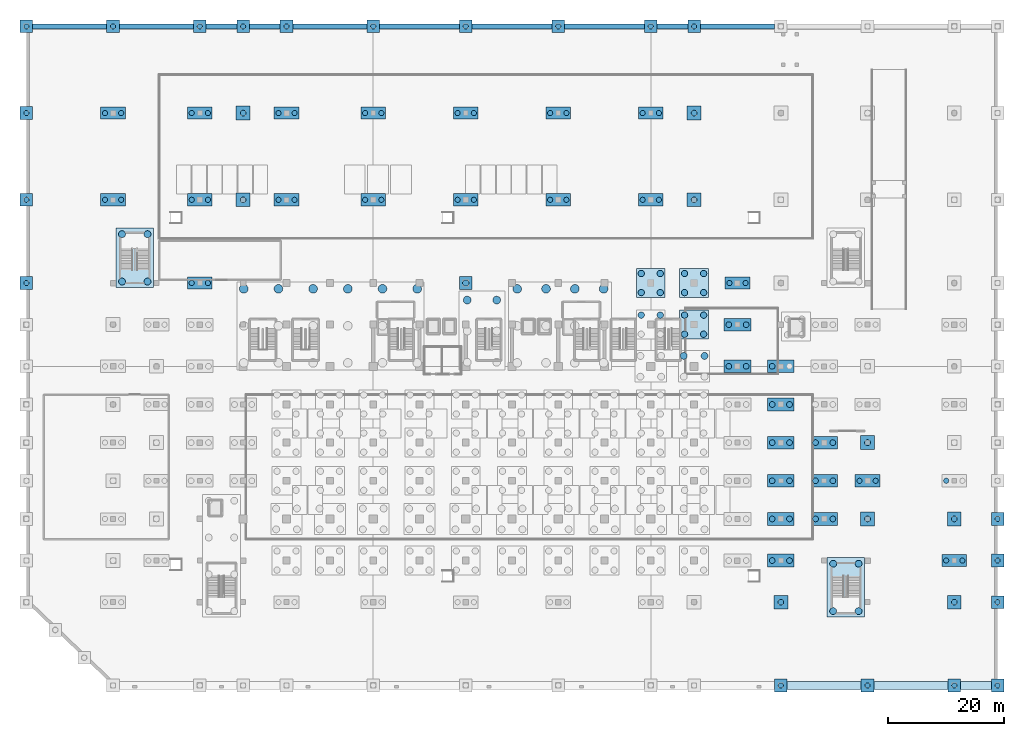
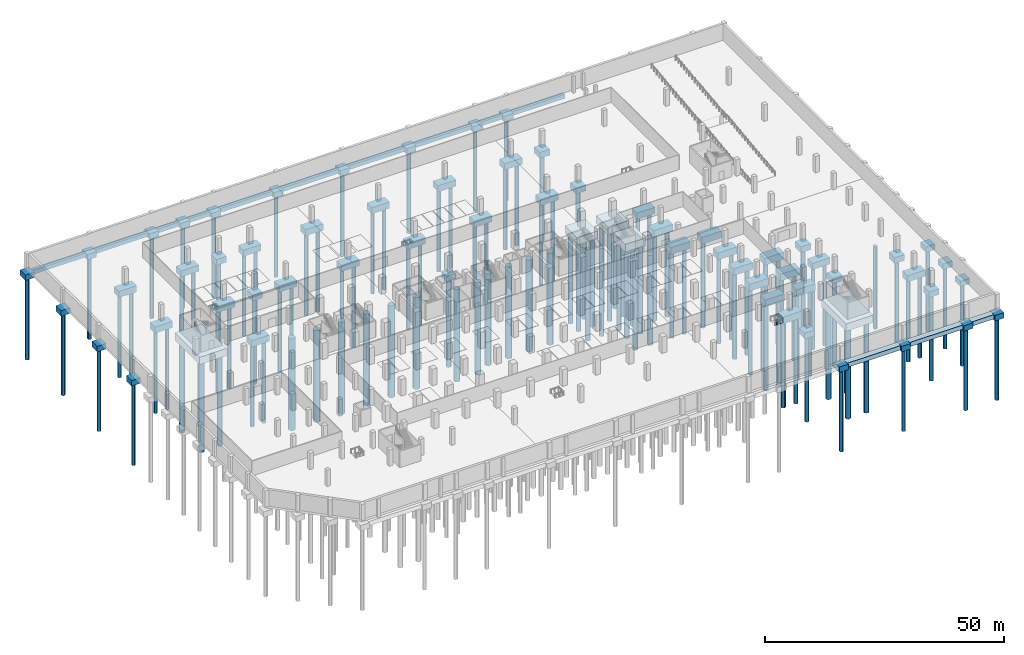
# One storey, part 3 of 26: 124 piles, 77 footings.
"""IFC4 building model written with IfcOpenShell, lengths in metres."""

from ifc_helpers import new_model, si_unit, direction, frame, origin, origin_2d, place, context, subcontext, project, spatial, rectangle, circle, extrude, material, material_profile, profile_set, type_object, element, save


model = new_model("IFC4")

# Units and contexts
model_context = context("Model", 3, precision=1e-05, world=origin(), true_north=direction((0.0, 1.0)))
body_context = subcontext(model_context, "Body", "Model", "MODEL_VIEW")
ifc_project = project(units=[si_unit("LENGTHUNIT", "METRE"), si_unit("AREAUNIT", "SQUARE_METRE"), si_unit("VOLUMEUNIT", "CUBIC_METRE"), si_unit("PLANEANGLEUNIT", "RADIAN"), si_unit("MASSUNIT", "GRAM", prefix="KILO")], contexts=[model_context])

# Site, building, storey
site_placement = place(None, origin())
site = spatial("IfcSite", under=ifc_project, at=site_placement, CompositionType="ELEMENT")
building_placement = place(site_placement, origin())
building = spatial("IfcBuilding", under=site, at=building_placement, Name="Akrevak Sports Hall", CompositionType="ELEMENT")
storey_placement = place(building_placement, frame((0.0, 0.0, -9.0)))
storey = spatial("IfcBuildingStorey", under=building, at=storey_placement, Name="B02", CompositionType="ELEMENT", Elevation=-9.0)

# Footings
ifc_material = material(Name="Concrete C40/50", Category="concrete")
footing_type_1 = type_object("IfcFootingType", Name="STR-PC-220x220x140", PredefinedType="PILE_CAP", material=ifc_material)
for number, where, z_axis, x_axis, name in (
    (1, (0.0, 69.60009765625, -1.949951171875), (0.0, 0.0, 1.0), (1.0, 0.0, 0.0), "Pile Cap PC-06 at 1/K"),
    (2, (0.0, 84.0, -1.949951171875), (0.0, 0.0, 1.0), (1.0, 0.0, 0.0), "Pile Cap PC-06 at 1/M"),
    (3, (0.0, 99.0, -1.949951171875), (0.0, 0.0, 1.0), (1.0, 0.0, 0.0), "Pile Cap PC-06 at 1/O"),
    (4, (0.0, 114.0, -1.949951171875), (0.0, 0.0, 1.0), (1.0, 0.0, 0.0), "Pile Cap PC-06 at 1/Q"),
    (5, (15.0, 114.0, -1.949951171875), (0.0, 0.0, 1.0), (1.0, 0.0, 0.0), "Pile Cap PC-06 at 3/Q"),
    (6, (30.0, 114.0, -1.949951171875), (0.0, 0.0, 1.0), (1.0, 0.0, 0.0), "Pile Cap PC-06 at 5/Q"),
    (7, (37.5, 114.0, -1.949951171875), (0.0, 0.0, 1.0), (1.0, 0.0, 0.0), "Pile Cap PC-06 at 6/Q"),
    (8, (45.0, 114.0, -1.949951171875), (0.0, 0.0, 1.0), (1.0, 0.0, 0.0), "Pile Cap PC-06 at 7/Q"),
    (9, (60.0, 114.0, -1.949951171875), (0.0, 0.0, 1.0), (1.0, 0.0, 0.0), "Pile Cap PC-06 at 9/Q"),
    (10, (76.0, 69.60009765625, -1.949951171875), (0.0, 0.0, 1.0), (1.0, 0.0, 0.0), "Pile Cap PC-06 at 11/K"),
    (11, (76.0, 114.0, -1.949951171875), (0.0, 0.0, 1.0), (1.0, 0.0, 0.0), "Pile Cap PC-06 at 11/Q"),
    (12, (92.0, 114.0, -1.949951171875), (0.0, 0.0, 1.0), (1.0, 0.0, 0.0), "Pile Cap PC-06 at 13/Q"),
    (13, (108.0, 114.0, -1.949951171875), (0.0, 0.0, 1.0), (1.0, 0.0, 0.0), "Pile Cap PC-06 at 15/Q"),
    (14, (115.5, 114.0, -1.949951171875), (0.0, 0.0, 1.0), (1.0, 0.0, 0.0), "Pile Cap PC-06 at 16/Q"),
    (15, (130.5, 0.0, -1.949951171875), (0.0, 0.0, 1.0), (1.0, 0.0, 0.0), "Pile Cap PC-06 at 18/A"),
    (16, (145.5, 0.0, -1.949951171875), (0.0, 0.0, 1.0), (1.0, 0.0, 0.0), "Pile Cap PC-06 at 20/A"),
    (17, (160.5, 0.0, -1.949951171875), (0.0, 0.0, 1.0), (1.0, 0.0, 0.0), "Pile Cap PC-06 at 22/A"),
    (18, (168.0, 0.0, -1.949951171875), (0.0, 0.0, 1.0), (1.0, 0.0, 0.0), "Pile Cap PC-06 at 23/A"),
    (19, (168.0, 14.39990234375, -1.949951171875), (0.0, 0.0, 1.0), (1.0, 0.0, 0.0), "Pile Cap PC-06 at 23/C"),
    (20, (168.0, 21.60009765625, -1.949951171875), (0.0, 0.0, 1.0), (1.0, 0.0, 0.0), "Pile Cap PC-06 at 23/D"),
    (21, (168.0, 28.800048828125, -1.949951171875), (0.0, 0.0, 1.0), (1.0, 0.0, 0.0), "Pile Cap PC-06 at 23/E"),
):
    element("IfcFooting", number, at=place(storey_placement, frame(where, z_axis=z_axis, x_axis=x_axis)), inside=storey, type_object=footing_type_1, Name=name, PredefinedType="PILE_CAP", context=body_context, shape_type="SweptSolid", body=[
        extrude(rectangle(XDim=2.199951171875, YDim=2.199951171875, at=origin_2d()), origin(), (0.0, 0.0, 1.0), 1.39990234375),
    ])
footing_type_2 = type_object("IfcFootingType", Name="STR-PC-240x240x150", PredefinedType="PILE_CAP", material=ifc_material)
for number, where, z_axis, x_axis, name in (
    (22, (37.5, 84.0, -2.050048828125), (0.0, 0.0, 1.0), (1.0, 0.0, 0.0), "Pile Cap PC-05 at 6/M"),
    (23, (37.5, 99.0, -2.050048828125), (0.0, 0.0, 1.0), (1.0, 0.0, 0.0), "Pile Cap PC-05 at 6/O"),
    (24, (115.5, 84.0, -2.050048828125), (0.0, 0.0, 1.0), (1.0, 0.0, 0.0), "Pile Cap PC-05 at 16/M"),
    (25, (115.5, 99.0, -2.050048828125), (0.0, 0.0, 1.0), (1.0, 0.0, 0.0), "Pile Cap PC-05 at 16/O"),
    (26, (130.5, 14.39990234375, -2.050048828125), (0.0, 0.0, 1.0), (1.0, 0.0, 0.0), "Pile Cap PC-05 at 18/C"),
    (27, (145.5, 28.800048828125, -2.050048828125), (0.0, 0.0, 1.0), (1.0, 0.0, 0.0), "Pile Cap PC-05 at 20/E"),
    (28, (145.5, 42.0, -2.050048828125), (0.0, 0.0, 1.0), (1.0, 0.0, 0.0), "Pile Cap PC-05 at 20/G"),
    (29, (160.5, 14.39990234375, -2.050048828125), (0.0, 0.0, 1.0), (1.0, 0.0, 0.0), "Pile Cap PC-05 at 22/C"),
    (30, (160.5, 28.800048828125, -2.050048828125), (0.0, 0.0, 1.0), (1.0, 0.0, 0.0), "Pile Cap PC-05 at 22/E"),
):
    element("IfcFooting", number, at=place(storey_placement, frame(where, z_axis=z_axis, x_axis=x_axis)), inside=storey, type_object=footing_type_2, Name=name, PredefinedType="PILE_CAP", context=body_context, shape_type="SweptSolid", body=[
        extrude(rectangle(XDim=2.39990234375, YDim=2.39990234375, at=origin_2d()), origin(), (0.0, 0.0, 1.0), 1.5),
    ])
footing_type_3 = type_object("IfcFootingType", Name="STR-PC-430x210x160", PredefinedType="PILE_CAP", material=ifc_material)
for number, where, z_axis, x_axis, name in (
    (31, (15.0, 84.0, -2.150146484375), (0.0, 0.0, 1.0), (1.0, 0.0, 0.0), "Pile Cap PC-04 at 3/M"),
    (32, (15.0, 99.0, -2.150146484375), (0.0, 0.0, 1.0), (1.0, 0.0, 0.0), "Pile Cap PC-04 at 3/O"),
    (33, (30.0, 69.60009765625, -2.150146484375), (0.0, 0.0, 1.0), (1.0, 0.0, 0.0), "Pile Cap PC-04 at 5/K"),
    (34, (30.0, 84.0, -2.150146484375), (0.0, 0.0, 1.0), (1.0, 0.0, 0.0), "Pile Cap PC-04 at 5/M"),
    (35, (30.0, 99.0, -2.150146484375), (0.0, 0.0, 1.0), (1.0, 0.0, 0.0), "Pile Cap PC-04 at 5/O"),
    (36, (45.0, 84.0, -2.150146484375), (0.0, 0.0, 1.0), (1.0, 0.0, 0.0), "Pile Cap PC-04 at 7/M"),
    (37, (45.0, 99.0, -2.150146484375), (0.0, 0.0, 1.0), (1.0, 0.0, 0.0), "Pile Cap PC-04 at 7/O"),
    (38, (60.0, 84.0, -2.150146484375), (0.0, 0.0, 1.0), (1.0, 0.0, 0.0), "Pile Cap PC-04 at 9/M"),
    (39, (60.0, 99.0, -2.150146484375), (0.0, 0.0, 1.0), (1.0, 0.0, 0.0), "Pile Cap PC-04 at 9/O"),
    (40, (76.0, 84.0, -2.150146484375), (0.0, 0.0, 1.0), (1.0, 0.0, 0.0), "Pile Cap PC-04 at 11/M"),
    (41, (76.0, 99.0, -2.150146484375), (0.0, 0.0, 1.0), (1.0, 0.0, 0.0), "Pile Cap PC-04 at 11/O"),
    (42, (92.0, 84.0, -2.150146484375), (0.0, 0.0, 1.0), (1.0, 0.0, 0.0), "Pile Cap PC-04 at 13/M"),
    (43, (92.0, 99.0, -2.150146484375), (0.0, 0.0, 1.0), (1.0, 0.0, 0.0), "Pile Cap PC-04 at 13/O"),
    (44, (108.0, 84.0, -2.150146484375), (0.0, 0.0, 1.0), (1.0, 0.0, 0.0), "Pile Cap PC-04 at 15/M"),
    (45, (108.0, 99.0, -2.150146484375), (0.0, 0.0, 1.0), (1.0, 0.0, 0.0), "Pile Cap PC-04 at 15/O"),
    (46, (123.0, 69.60009765625, -2.150146484375), (0.0, 0.0, 1.0), (1.0, 0.0, 0.0), "Pile Cap PC-04 at 17/K"),
    (47, (145.5, 35.39990234375, -2.150146484375), (0.0, 0.0, 1.0), (1.0, 0.0, 0.0), "Pile Cap PC-04 at 20/F"),
    (48, (160.5, 21.60009765625, -2.150146484375), (0.0, 0.0, 1.0), (1.0, 0.0, 0.0), "Pile Cap PC-04 at 22/D"),
):
    element("IfcFooting", number, at=place(storey_placement, frame(where, z_axis=z_axis, x_axis=x_axis)), inside=storey, type_object=footing_type_3, Name=name, PredefinedType="PILE_CAP", context=body_context, shape_type="SweptSolid", body=[
        extrude(rectangle(XDim=4.300048828125, YDim=2.10009765625, at=origin_2d()), origin(), (0.0, 0.0, 1.0), 1.60009765625),
    ])
footing_type_4 = type_object("IfcFootingType", Name="STR-PC-460x220x175", PredefinedType="PILE_CAP", material=ifc_material)
for number, where, z_axis, x_axis, name in (
    (49, (123.0, 55.199951171875, -2.300048828125), (0.0, 0.0, 1.0), (1.0, 0.0, 0.0), "Pile Cap PC-03 at 17/I"),
    (50, (123.0, 62.39990234375, -2.300048828125), (0.0, 0.0, 1.0), (1.0, 0.0, 0.0), "Pile Cap PC-03 at 17/J"),
    (51, (130.5, 21.60009765625, -2.300048828125), (0.0, 0.0, 1.0), (1.0, 0.0, 0.0), "Pile Cap PC-03 at 18/D"),
    (52, (130.5, 28.800048828125, -2.300048828125), (0.0, 0.0, 1.0), (1.0, 0.0, 0.0), "Pile Cap PC-03 at 18/E"),
    (53, (130.5, 35.39990234375, -2.300048828125), (0.0, 0.0, 1.0), (1.0, 0.0, 0.0), "Pile Cap PC-03 at 18/F"),
    (54, (130.5, 42.0, -2.300048828125), (0.0, 0.0, 1.0), (1.0, 0.0, 0.0), "Pile Cap PC-03 at 18/G"),
    (55, (130.5, 48.60009765625, -2.300048828125), (0.0, 0.0, 1.0), (1.0, 0.0, 0.0), "Pile Cap PC-03 at 18/H"),
    (56, (130.5, 55.199951171875, -2.300048828125), (0.0, 0.0, 1.0), (1.0, 0.0, 0.0), "Pile Cap PC-03 at 18/I"),
    (57, (138.0, 28.800048828125, -2.300048828125), (0.0, 0.0, 1.0), (1.0, 0.0, 0.0), "Pile Cap PC-03 at 19/E"),
    (58, (138.0, 35.39990234375, -2.300048828125), (0.0, 0.0, 1.0), (1.0, 0.0, 0.0), "Pile Cap PC-03 at 19/F"),
    (59, (138.0, 42.0, -2.300048828125), (0.0, 0.0, 1.0), (1.0, 0.0, 0.0), "Pile Cap PC-03 at 19/G"),
):
    element("IfcFooting", number, at=place(storey_placement, frame(where, z_axis=z_axis, x_axis=x_axis)), inside=storey, type_object=footing_type_4, Name=name, PredefinedType="PILE_CAP", context=body_context, shape_type="SweptSolid", body=[
        extrude(rectangle(XDim=4.60009765625, YDim=2.199951171875, at=origin_2d()), origin(), (0.0, 0.0, 1.0), 1.75),
    ])
footing_type_5 = type_object("IfcFootingType", Name="STR-PC-500x500x195", PredefinedType="PILE_CAP", material=ifc_material)
for number, where, z_axis, x_axis, name in (
    (60, (108.0, 69.60009765625, -2.5), (0.0, 0.0, 1.0), (1.0, 0.0, 0.0), "Pile Cap PC-02 at 15/K"),
    (61, (115.5, 62.39990234375, -2.5), (0.0, 0.0, 1.0), (1.0, 0.0, 0.0), "Pile Cap PC-02 at 16/J"),
    (62, (115.5, 69.60009765625, -2.5), (0.0, 0.0, 1.0), (1.0, 0.0, 0.0), "Pile Cap PC-02 at 16/K"),
):
    element("IfcFooting", number, at=place(storey_placement, frame(where, z_axis=z_axis, x_axis=x_axis)), inside=storey, type_object=footing_type_5, Name=name, PredefinedType="PILE_CAP", context=body_context, shape_type="SweptSolid", body=[
        extrude(rectangle(XDim=5.0, YDim=5.0, at=origin_2d()), origin(), (0.0, 0.0, 1.0), 1.949951171875),
    ])
footing_type_6 = type_object("IfcFootingType", Name="STR-PC-MAT-P2", PredefinedType="PILE_CAP", material=ifc_material)
footing_1_placement = place(storey_placement, frame((18.75, 73.949951171875, -2.449951171875), z_axis=(0.0, 0.0, 1.0), x_axis=(1.0, 0.0, 0.0)))
element("IfcFooting", 63, at=footing_1_placement, inside=storey, type_object=footing_type_6, Name="Combined Pile Cap PC-M6", PredefinedType="PILE_CAP", context=body_context, shape_type="SweptSolid", body=[
    extrude(rectangle(XDim=6.5, YDim=10.300048828125, at=origin_2d()), origin(), (0.0, 0.0, 1.0), 1.89990234375),
])
footing_type_7 = type_object("IfcFootingType", Name="STR-PC-MAT-P3", PredefinedType="PILE_CAP", material=ifc_material)
footing_2_placement = place(storey_placement, frame((141.75, 16.949951171875, -2.449951171875), z_axis=(0.0, 0.0, 1.0), x_axis=(1.0, 0.0, 0.0)))
element("IfcFooting", 64, at=footing_2_placement, inside=storey, type_object=footing_type_7, Name="Combined Pile Cap PC-M7", PredefinedType="PILE_CAP", context=body_context, shape_type="SweptSolid", body=[
    extrude(rectangle(XDim=6.5, YDim=10.300048828125, at=origin_2d()), origin(), (0.0, 0.0, 1.0), 1.89990234375),
])

# Piles
ifc_material_profile_1 = material_profile(ifc_material, circle(Radius=0.5, at=origin_2d()), Name="BORED PILE D1000", Category="concrete")
ifc_profile_set_1 = profile_set([ifc_material_profile_1], Name="Concrete C40/50")
pile_type_1 = type_object("IfcPileType", Name="STR-PILE-D1000", PredefinedType="BORED", material=ifc_profile_set_1)
for number, where, z_axis, x_axis, name in (
    (65, (37.5, 84.0, -2.050048828125), (0.0, 0.0, -1.0), (1.0, 0.0, 0.0), "Bored Pile 6/M-1"),
    (66, (37.5, 99.0, -2.050048828125), (0.0, 0.0, -1.0), (1.0, 0.0, 0.0), "Bored Pile 6/O-1"),
    (67, (115.5, 84.0, -2.050048828125), (0.0, 0.0, -1.0), (1.0, 0.0, 0.0), "Bored Pile 16/M-1"),
    (68, (115.5, 99.0, -2.050048828125), (0.0, 0.0, -1.0), (1.0, 0.0, 0.0), "Bored Pile 16/O-1"),
    (69, (121.5, 55.199951171875, -2.300048828125), (0.0, 0.0, -1.0), (1.0, 0.0, 0.0), "Bored Pile 17/I-1"),
    (70, (124.5, 55.199951171875, -2.300048828125), (0.0, 0.0, -1.0), (1.0, 0.0, 0.0), "Bored Pile 17/I-2"),
    (71, (121.5, 62.39990234375, -2.300048828125), (0.0, 0.0, -1.0), (1.0, 0.0, 0.0), "Bored Pile 17/J-1"),
    (72, (124.5, 62.39990234375, -2.300048828125), (0.0, 0.0, -1.0), (1.0, 0.0, 0.0), "Bored Pile 17/J-2"),
    (73, (130.5, 14.39990234375, -2.050048828125), (0.0, 0.0, -1.0), (1.0, 0.0, 0.0), "Bored Pile 18/C-1"),
    (74, (129.0, 21.60009765625, -2.300048828125), (0.0, 0.0, -1.0), (1.0, 0.0, 0.0), "Bored Pile 18/D-1"),
    (75, (132.0, 21.60009765625, -2.300048828125), (0.0, 0.0, -1.0), (1.0, 0.0, 0.0), "Bored Pile 18/D-2"),
    (76, (129.0, 28.800048828125, -2.300048828125), (0.0, 0.0, -1.0), (1.0, 0.0, 0.0), "Bored Pile 18/E-1"),
    (77, (132.0, 28.800048828125, -2.300048828125), (0.0, 0.0, -1.0), (1.0, 0.0, 0.0), "Bored Pile 18/E-2"),
    (78, (129.0, 35.39990234375, -2.300048828125), (0.0, 0.0, -1.0), (1.0, 0.0, 0.0), "Bored Pile 18/F-1"),
    (79, (132.0, 35.39990234375, -2.300048828125), (0.0, 0.0, -1.0), (1.0, 0.0, 0.0), "Bored Pile 18/F-2"),
    (80, (129.0, 42.0, -2.300048828125), (0.0, 0.0, -1.0), (1.0, 0.0, 0.0), "Bored Pile 18/G-1"),
    (81, (132.0, 42.0, -2.300048828125), (0.0, 0.0, -1.0), (1.0, 0.0, 0.0), "Bored Pile 18/G-2"),
    (82, (129.0, 48.60009765625, -2.300048828125), (0.0, 0.0, -1.0), (1.0, 0.0, 0.0), "Bored Pile 18/H-1"),
    (83, (132.0, 48.60009765625, -2.300048828125), (0.0, 0.0, -1.0), (1.0, 0.0, 0.0), "Bored Pile 18/H-2"),
    (84, (129.0, 55.199951171875, -2.300048828125), (0.0, 0.0, -1.0), (1.0, 0.0, 0.0), "Bored Pile 18/I-1"),
    (85, (136.5, 28.800048828125, -2.300048828125), (0.0, 0.0, -1.0), (1.0, 0.0, 0.0), "Bored Pile 19/E-1"),
    (86, (139.5, 28.800048828125, -2.300048828125), (0.0, 0.0, -1.0), (1.0, 0.0, 0.0), "Bored Pile 19/E-2"),
    (87, (136.5, 35.39990234375, -2.300048828125), (0.0, 0.0, -1.0), (1.0, 0.0, 0.0), "Bored Pile 19/F-1"),
    (88, (139.5, 35.39990234375, -2.300048828125), (0.0, 0.0, -1.0), (1.0, 0.0, 0.0), "Bored Pile 19/F-2"),
    (89, (136.5, 42.0, -2.300048828125), (0.0, 0.0, -1.0), (1.0, 0.0, 0.0), "Bored Pile 19/G-1"),
    (90, (139.5, 42.0, -2.300048828125), (0.0, 0.0, -1.0), (1.0, 0.0, 0.0), "Bored Pile 19/G-2"),
    (91, (145.5, 28.800048828125, -2.050048828125), (0.0, 0.0, -1.0), (1.0, 0.0, 0.0), "Bored Pile 20/E-1"),
    (92, (145.5, 42.0, -2.050048828125), (0.0, 0.0, -1.0), (1.0, 0.0, 0.0), "Bored Pile 20/G-1"),
    (93, (160.5, 14.39990234375, -2.050048828125), (0.0, 0.0, -1.0), (1.0, 0.0, 0.0), "Bored Pile 22/C-1"),
    (94, (160.5, 28.800048828125, -2.050048828125), (0.0, 0.0, -1.0), (1.0, 0.0, 0.0), "Bored Pile 22/E-1"),
):
    element("IfcPile", number, at=place(storey_placement, frame(where, z_axis=z_axis, x_axis=x_axis)), inside=storey, type_object=pile_type_1, Name=name, PredefinedType="BORED", context=body_context, shape_type="SweptSolid", body=[
        extrude(circle(Radius=0.5, at=origin_2d()), origin(), (0.0, 0.0, 1.0), 22.0),
    ])
ifc_material_profile_2 = material_profile(ifc_material, circle(Radius=0.550048828125, at=origin_2d()), Name="BORED PILE D1100", Category="concrete")
ifc_profile_set_2 = profile_set([ifc_material_profile_2], Name="Concrete C40/50")
pile_type_2 = type_object("IfcPileType", Name="STR-PILE-D1100", PredefinedType="BORED", material=ifc_profile_set_2)
for number, where, z_axis, x_axis, name in (
    (95, (76.0, 69.60009765625, -1.949951171875), (0.0, 0.0, -1.0), (1.0, 0.0, 0.0), "Bored Pile 11/K-1"),
    (96, (106.35009765625, 64.050048828125, -2.5), (0.0, 0.0, -1.0), (1.0, 0.0, 0.0), "Bored Pile 15/J-3"),
    (97, (109.64990234375, 64.050048828125, -2.5), (0.0, 0.0, -1.0), (1.0, 0.0, 0.0), "Bored Pile 15/J-4"),
    (98, (106.35009765625, 67.949951171875, -2.5), (0.0, 0.0, -1.0), (1.0, 0.0, 0.0), "Bored Pile 15/K-1"),
    (99, (109.64990234375, 67.949951171875, -2.5), (0.0, 0.0, -1.0), (1.0, 0.0, 0.0), "Bored Pile 15/K-2"),
    (100, (106.35009765625, 71.25, -2.5), (0.0, 0.0, -1.0), (1.0, 0.0, 0.0), "Bored Pile 15/K-3"),
    (101, (109.64990234375, 71.25, -2.5), (0.0, 0.0, -1.0), (1.0, 0.0, 0.0), "Bored Pile 15/K-4"),
    (102, (113.85009765625, 60.75, -2.5), (0.0, 0.0, -1.0), (1.0, 0.0, 0.0), "Bored Pile 16/J-1"),
    (103, (117.14990234375, 60.75, -2.5), (0.0, 0.0, -1.0), (1.0, 0.0, 0.0), "Bored Pile 16/J-2"),
    (104, (113.85009765625, 64.050048828125, -2.5), (0.0, 0.0, -1.0), (1.0, 0.0, 0.0), "Bored Pile 16/J-3"),
    (105, (117.14990234375, 64.050048828125, -2.5), (0.0, 0.0, -1.0), (1.0, 0.0, 0.0), "Bored Pile 16/J-4"),
    (106, (113.85009765625, 67.949951171875, -2.5), (0.0, 0.0, -1.0), (1.0, 0.0, 0.0), "Bored Pile 16/K-1"),
    (107, (117.14990234375, 67.949951171875, -2.5), (0.0, 0.0, -1.0), (1.0, 0.0, 0.0), "Bored Pile 16/K-2"),
    (108, (113.85009765625, 71.25, -2.5), (0.0, 0.0, -1.0), (1.0, 0.0, 0.0), "Bored Pile 16/K-3"),
    (109, (117.14990234375, 71.25, -2.5), (0.0, 0.0, -1.0), (1.0, 0.0, 0.0), "Bored Pile 16/K-4"),
):
    element("IfcPile", number, at=place(storey_placement, frame(where, z_axis=z_axis, x_axis=x_axis)), inside=storey, type_object=pile_type_2, Name=name, PredefinedType="BORED", context=body_context, shape_type="SweptSolid", body=[
        extrude(circle(Radius=0.550048828125, at=origin_2d()), origin(), (0.0, 0.0, 1.0), 22.5),
    ])
ifc_material_profile_3 = material_profile(ifc_material, circle(Radius=0.60009765625, at=origin_2d()), Name="BORED PILE D1200", Category="concrete")
ifc_profile_set_3 = profile_set([ifc_material_profile_3], Name="Concrete C40/50")
pile_type_3 = type_object("IfcPileType", Name="STR-PILE-D1200", PredefinedType="BORED", material=ifc_profile_set_3)
for number, where, z_axis, x_axis, name in (
    (110, (16.550048828125, 69.85009765625, -2.449951171875), (0.0, 0.0, -1.0), (1.0, 0.0, 0.0), "Bored Pile PC-M6-11"),
    (111, (16.550048828125, 78.050048828125, -2.449951171875), (0.0, 0.0, -1.0), (1.0, 0.0, 0.0), "Bored Pile PC-M6-12"),
    (112, (20.949951171875, 69.85009765625, -2.449951171875), (0.0, 0.0, -1.0), (1.0, 0.0, 0.0), "Bored Pile PC-M6-21"),
    (113, (20.949951171875, 78.050048828125, -2.449951171875), (0.0, 0.0, -1.0), (1.0, 0.0, 0.0), "Bored Pile PC-M6-22"),
    (114, (139.550048828125, 12.85009765625, -2.449951171875), (0.0, 0.0, -1.0), (1.0, 0.0, 0.0), "Bored Pile PC-M7-11"),
    (115, (139.550048828125, 21.050048828125, -2.449951171875), (0.0, 0.0, -1.0), (1.0, 0.0, 0.0), "Bored Pile PC-M7-12"),
    (116, (143.949951171875, 12.85009765625, -2.449951171875), (0.0, 0.0, -1.0), (1.0, 0.0, 0.0), "Bored Pile PC-M7-21"),
    (117, (143.949951171875, 21.050048828125, -2.449951171875), (0.0, 0.0, -1.0), (1.0, 0.0, 0.0), "Bored Pile PC-M7-22"),
    (118, (113.699951171875, 57.0, -2.64990234375), (0.0, 0.0, -1.0), (1.0, 0.0, 0.0), "Bored Pile 16/I-3"),
    (119, (117.300048828125, 57.0, -2.64990234375), (0.0, 0.0, -1.0), (1.0, 0.0, 0.0), "Bored Pile 16/I-4"),
):
    element("IfcPile", number, at=place(storey_placement, frame(where, z_axis=z_axis, x_axis=x_axis)), inside=storey, type_object=pile_type_3, Name=name, PredefinedType="BORED", context=body_context, shape_type="SweptSolid", body=[
        extrude(circle(Radius=0.60009765625, at=origin_2d()), origin(), (0.0, 0.0, 1.0), 23.0),
    ])
ifc_material_profile_4 = material_profile(ifc_material, circle(Radius=0.675048828125, at=origin_2d()), Name="BORED PILE D1350", Category="concrete")
ifc_profile_set_4 = profile_set([ifc_material_profile_4], Name="Concrete C40/50")
pile_type_4 = type_object("IfcPileType", Name="STR-PILE-D1350", PredefinedType="BORED", material=ifc_profile_set_4)
for number, where, z_axis, x_axis, name in (
    (120, (76.25, 66.64990234375, -2.800048828125), (0.0, 0.0, -1.0), (1.0, 0.0, 0.0), "Bored Pile PC-M3-13"),
    (121, (81.35009765625, 66.64990234375, -2.800048828125), (0.0, 0.0, -1.0), (1.0, 0.0, 0.0), "Bored Pile PC-M3-23"),
):
    element("IfcPile", number, at=place(storey_placement, frame(where, z_axis=z_axis, x_axis=x_axis)), inside=storey, type_object=pile_type_4, Name=name, PredefinedType="BORED", context=body_context, shape_type="SweptSolid", body=[
        extrude(circle(Radius=0.675048828125, at=origin_2d()), origin(), (0.0, 0.0, 1.0), 23.60009765625),
    ])
ifc_material_profile_5 = material_profile(ifc_material, circle(Radius=0.75, at=origin_2d()), Name="BORED PILE D1500", Category="concrete")
ifc_profile_set_5 = profile_set([ifc_material_profile_5], Name="Concrete C40/50")
pile_type_5 = type_object("IfcPileType", Name="STR-PILE-D1500", PredefinedType="BORED", material=ifc_profile_set_5)
for number, where, z_axis, x_axis, name in (
    (122, (37.60009765625, 68.60009765625, -2.949951171875), (0.0, 0.0, -1.0), (1.0, 0.0, 0.0), "Bored Pile PC-M1-13"),
    (123, (43.60009765625, 68.60009765625, -2.949951171875), (0.0, 0.0, -1.0), (1.0, 0.0, 0.0), "Bored Pile PC-M1-23"),
    (124, (49.60009765625, 68.60009765625, -2.949951171875), (0.0, 0.0, -1.0), (1.0, 0.0, 0.0), "Bored Pile PC-M1-33"),
    (125, (55.60009765625, 68.60009765625, -2.949951171875), (0.0, 0.0, -1.0), (1.0, 0.0, 0.0), "Bored Pile PC-M1-43"),
    (126, (61.60009765625, 68.60009765625, -2.949951171875), (0.0, 0.0, -1.0), (1.0, 0.0, 0.0), "Bored Pile PC-M1-53"),
    (127, (67.60009765625, 68.60009765625, -2.949951171875), (0.0, 0.0, -1.0), (1.0, 0.0, 0.0), "Bored Pile PC-M1-63"),
    (128, (84.89990234375, 68.60009765625, -2.949951171875), (0.0, 0.0, -1.0), (1.0, 0.0, 0.0), "Bored Pile PC-M2-13"),
    (129, (89.883056640625, 68.60009765625, -2.949951171875), (0.0, 0.0, -1.0), (1.0, 0.0, 0.0), "Bored Pile PC-M2-23"),
    (130, (94.866943359375, 68.60009765625, -2.949951171875), (0.0, 0.0, -1.0), (1.0, 0.0, 0.0), "Bored Pile PC-M2-33"),
    (131, (99.85009765625, 68.60009765625, -2.949951171875), (0.0, 0.0, -1.0), (1.0, 0.0, 0.0), "Bored Pile PC-M2-43"),
):
    element("IfcPile", number, at=place(storey_placement, frame(where, z_axis=z_axis, x_axis=x_axis)), inside=storey, type_object=pile_type_5, Name=name, PredefinedType="BORED", context=body_context, shape_type="SweptSolid", body=[
        extrude(circle(Radius=0.75, at=origin_2d()), origin(), (0.0, 0.0, 1.0), 23.449951171875),
    ])
ifc_material_profile_6 = material_profile(ifc_material, circle(Radius=0.449951171875, at=origin_2d()), Name="BORED PILE D900", Category="concrete")
ifc_profile_set_6 = profile_set([ifc_material_profile_6], Name="Concrete C40/50")
pile_type_6 = type_object("IfcPileType", Name="STR-PILE-D900", PredefinedType="BORED", material=ifc_profile_set_6)
for number, where, z_axis, x_axis, name in (
    (132, (0.0, 69.60009765625, -1.949951171875), (0.0, 0.0, -1.0), (1.0, 0.0, 0.0), "Bored Pile 1/K-1"),
    (133, (0.0, 84.0, -1.949951171875), (0.0, 0.0, -1.0), (1.0, 0.0, 0.0), "Bored Pile 1/M-1"),
    (134, (0.0, 99.0, -1.949951171875), (0.0, 0.0, -1.0), (1.0, 0.0, 0.0), "Bored Pile 1/O-1"),
    (135, (0.0, 114.0, -1.949951171875), (0.0, 0.0, -1.0), (1.0, 0.0, 0.0), "Bored Pile 1/Q-1"),
    (136, (13.60009765625, 84.0, -2.14990234375), (0.0, 0.0, -1.0), (1.0, 0.0, 0.0), "Bored Pile 3/M-1"),
    (137, (16.39990234375, 84.0, -2.14990234375), (0.0, 0.0, -1.0), (1.0, 0.0, 0.0), "Bored Pile 3/M-2"),
    (138, (13.60009765625, 99.0, -2.14990234375), (0.0, 0.0, -1.0), (1.0, 0.0, 0.0), "Bored Pile 3/O-1"),
    (139, (16.39990234375, 99.0, -2.14990234375), (0.0, 0.0, -1.0), (1.0, 0.0, 0.0), "Bored Pile 3/O-2"),
    (140, (15.0, 114.0, -1.949951171875), (0.0, 0.0, -1.0), (1.0, 0.0, 0.0), "Bored Pile 3/Q-1"),
    (141, (28.60009765625, 69.60009765625, -2.14990234375), (0.0, 0.0, -1.0), (1.0, 0.0, 0.0), "Bored Pile 5/K-1"),
    (142, (31.39990234375, 69.60009765625, -2.14990234375), (0.0, 0.0, -1.0), (1.0, 0.0, 0.0), "Bored Pile 5/K-2"),
    (143, (28.60009765625, 84.0, -2.14990234375), (0.0, 0.0, -1.0), (1.0, 0.0, 0.0), "Bored Pile 5/M-1"),
    (144, (31.39990234375, 84.0, -2.14990234375), (0.0, 0.0, -1.0), (1.0, 0.0, 0.0), "Bored Pile 5/M-2"),
    (145, (28.60009765625, 99.0, -2.14990234375), (0.0, 0.0, -1.0), (1.0, 0.0, 0.0), "Bored Pile 5/O-1"),
    (146, (31.39990234375, 99.0, -2.14990234375), (0.0, 0.0, -1.0), (1.0, 0.0, 0.0), "Bored Pile 5/O-2"),
    (147, (30.0, 114.0, -1.949951171875), (0.0, 0.0, -1.0), (1.0, 0.0, 0.0), "Bored Pile 5/Q-1"),
    (148, (37.5, 114.0, -1.949951171875), (0.0, 0.0, -1.0), (1.0, 0.0, 0.0), "Bored Pile 6/Q-1"),
    (149, (43.60009765625, 84.0, -2.14990234375), (0.0, 0.0, -1.0), (1.0, 0.0, 0.0), "Bored Pile 7/M-1"),
    (150, (46.39990234375, 84.0, -2.14990234375), (0.0, 0.0, -1.0), (1.0, 0.0, 0.0), "Bored Pile 7/M-2"),
    (151, (43.60009765625, 99.0, -2.14990234375), (0.0, 0.0, -1.0), (1.0, 0.0, 0.0), "Bored Pile 7/O-1"),
    (152, (46.39990234375, 99.0, -2.14990234375), (0.0, 0.0, -1.0), (1.0, 0.0, 0.0), "Bored Pile 7/O-2"),
    (153, (45.0, 114.0, -1.949951171875), (0.0, 0.0, -1.0), (1.0, 0.0, 0.0), "Bored Pile 7/Q-1"),
    (154, (58.60009765625, 84.0, -2.14990234375), (0.0, 0.0, -1.0), (1.0, 0.0, 0.0), "Bored Pile 9/M-1"),
    (155, (61.39990234375, 84.0, -2.14990234375), (0.0, 0.0, -1.0), (1.0, 0.0, 0.0), "Bored Pile 9/M-2"),
    (156, (58.60009765625, 99.0, -2.14990234375), (0.0, 0.0, -1.0), (1.0, 0.0, 0.0), "Bored Pile 9/O-1"),
    (157, (61.39990234375, 99.0, -2.14990234375), (0.0, 0.0, -1.0), (1.0, 0.0, 0.0), "Bored Pile 9/O-2"),
    (158, (60.0, 114.0, -1.949951171875), (0.0, 0.0, -1.0), (1.0, 0.0, 0.0), "Bored Pile 9/Q-1"),
    (159, (74.60009765625, 84.0, -2.14990234375), (0.0, 0.0, -1.0), (1.0, 0.0, 0.0), "Bored Pile 11/M-1"),
    (160, (77.39990234375, 84.0, -2.14990234375), (0.0, 0.0, -1.0), (1.0, 0.0, 0.0), "Bored Pile 11/M-2"),
    (161, (74.60009765625, 99.0, -2.14990234375), (0.0, 0.0, -1.0), (1.0, 0.0, 0.0), "Bored Pile 11/O-1"),
    (162, (77.39990234375, 99.0, -2.14990234375), (0.0, 0.0, -1.0), (1.0, 0.0, 0.0), "Bored Pile 11/O-2"),
    (163, (76.0, 114.0, -1.949951171875), (0.0, 0.0, -1.0), (1.0, 0.0, 0.0), "Bored Pile 11/Q-1"),
    (164, (90.60009765625, 84.0, -2.14990234375), (0.0, 0.0, -1.0), (1.0, 0.0, 0.0), "Bored Pile 13/M-1"),
    (165, (93.39990234375, 84.0, -2.14990234375), (0.0, 0.0, -1.0), (1.0, 0.0, 0.0), "Bored Pile 13/M-2"),
    (166, (90.60009765625, 99.0, -2.14990234375), (0.0, 0.0, -1.0), (1.0, 0.0, 0.0), "Bored Pile 13/O-1"),
    (167, (93.39990234375, 99.0, -2.14990234375), (0.0, 0.0, -1.0), (1.0, 0.0, 0.0), "Bored Pile 13/O-2"),
    (168, (92.0, 114.0, -1.949951171875), (0.0, 0.0, -1.0), (1.0, 0.0, 0.0), "Bored Pile 13/Q-1"),
    (169, (106.60009765625, 84.0, -2.14990234375), (0.0, 0.0, -1.0), (1.0, 0.0, 0.0), "Bored Pile 15/M-1"),
    (170, (109.39990234375, 84.0, -2.14990234375), (0.0, 0.0, -1.0), (1.0, 0.0, 0.0), "Bored Pile 15/M-2"),
    (171, (106.60009765625, 99.0, -2.14990234375), (0.0, 0.0, -1.0), (1.0, 0.0, 0.0), "Bored Pile 15/O-1"),
    (172, (109.39990234375, 99.0, -2.14990234375), (0.0, 0.0, -1.0), (1.0, 0.0, 0.0), "Bored Pile 15/O-2"),
    (173, (108.0, 114.0, -1.949951171875), (0.0, 0.0, -1.0), (1.0, 0.0, 0.0), "Bored Pile 15/Q-1"),
    (174, (115.5, 114.0, -1.949951171875), (0.0, 0.0, -1.0), (1.0, 0.0, 0.0), "Bored Pile 16/Q-1"),
    (175, (121.60009765625, 69.60009765625, -2.14990234375), (0.0, 0.0, -1.0), (1.0, 0.0, 0.0), "Bored Pile 17/K-1"),
    (176, (124.39990234375, 69.60009765625, -2.14990234375), (0.0, 0.0, -1.0), (1.0, 0.0, 0.0), "Bored Pile 17/K-2"),
    (177, (130.5, 0.0, -1.949951171875), (0.0, 0.0, -1.0), (1.0, 0.0, 0.0), "Bored Pile 18/A-1"),
    (178, (145.5, 0.0, -1.949951171875), (0.0, 0.0, -1.0), (1.0, 0.0, 0.0), "Bored Pile 20/A-1"),
    (179, (144.10009765625, 35.39990234375, -2.14990234375), (0.0, 0.0, -1.0), (1.0, 0.0, 0.0), "Bored Pile 20/F-1"),
    (180, (146.89990234375, 35.39990234375, -2.14990234375), (0.0, 0.0, -1.0), (1.0, 0.0, 0.0), "Bored Pile 20/F-2"),
    (181, (160.5, 0.0, -1.949951171875), (0.0, 0.0, -1.0), (1.0, 0.0, 0.0), "Bored Pile 22/A-1"),
    (182, (159.10009765625, 21.60009765625, -2.14990234375), (0.0, 0.0, -1.0), (1.0, 0.0, 0.0), "Bored Pile 22/D-1"),
    (183, (161.89990234375, 21.60009765625, -2.14990234375), (0.0, 0.0, -1.0), (1.0, 0.0, 0.0), "Bored Pile 22/D-2"),
    (184, (159.10009765625, 35.39990234375, -2.14990234375), (0.0, 0.0, -1.0), (1.0, 0.0, 0.0), "Bored Pile 22/F-1"),
    (185, (168.0, 0.0, -1.949951171875), (0.0, 0.0, -1.0), (1.0, 0.0, 0.0), "Bored Pile 23/A-1"),
    (186, (168.0, 14.39990234375, -1.949951171875), (0.0, 0.0, -1.0), (1.0, 0.0, 0.0), "Bored Pile 23/C-1"),
    (187, (168.0, 21.60009765625, -1.949951171875), (0.0, 0.0, -1.0), (1.0, 0.0, 0.0), "Bored Pile 23/D-1"),
    (188, (168.0, 28.800048828125, -1.949951171875), (0.0, 0.0, -1.0), (1.0, 0.0, 0.0), "Bored Pile 23/E-1"),
):
    element("IfcPile", number, at=place(storey_placement, frame(where, z_axis=z_axis, x_axis=x_axis)), inside=storey, type_object=pile_type_6, Name=name, PredefinedType="BORED", context=body_context, shape_type="SweptSolid", body=[
        extrude(circle(Radius=0.449951171875, at=origin_2d()), origin(), (0.0, 0.0, 1.0), 21.0),
    ])

# Footings
footing_type_8 = type_object("IfcFootingType", Name="STR-SF-850x1050", PredefinedType="STRIP_FOOTING", material=ifc_material)
for number, where, z_axis, x_axis, name in (
    (189, (7.5, 114.0, -1.60009765625), (0.0, 0.0, 1.0), (1.0, 0.0, 0.0), "Continuous Strip Footing SF-02-2.01"),
    (190, (22.5, 114.0, -1.60009765625), (0.0, 0.0, 1.0), (1.0, 0.0, 0.0), "Continuous Strip Footing SF-02-2.02"),
):
    element("IfcFooting", number, at=place(storey_placement, frame(where, z_axis=z_axis, x_axis=x_axis)), inside=storey, type_object=footing_type_8, Name=name, PredefinedType="STRIP_FOOTING", context=body_context, shape_type="SweptSolid", body=[
        extrude(rectangle(XDim=12.800048828125, YDim=0.85009765625, at=origin_2d()), origin(), (0.0, 0.0, 1.0), 1.050048828125),
    ])
for number, where, z_axis, x_axis, name in (
    (191, (33.75, 114.0, -1.60009765625), (0.0, 0.0, 1.0), (1.0, 0.0, 0.0), "Continuous Strip Footing SF-02-2.03"),
    (192, (41.25, 114.0, -1.60009765625), (0.0, 0.0, 1.0), (1.0, 0.0, 0.0), "Continuous Strip Footing SF-02-2.04"),
):
    element("IfcFooting", number, at=place(storey_placement, frame(where, z_axis=z_axis, x_axis=x_axis)), inside=storey, type_object=footing_type_8, Name=name, PredefinedType="STRIP_FOOTING", context=body_context, shape_type="SweptSolid", body=[
        extrude(rectangle(XDim=5.300048828125, YDim=0.85009765625, at=origin_2d()), origin(), (0.0, 0.0, 1.0), 1.050048828125),
    ])
footing_3_placement = place(storey_placement, frame((52.5, 114.0, -1.60009765625), z_axis=(0.0, 0.0, 1.0), x_axis=(1.0, 0.0, 0.0)))
element("IfcFooting", 193, at=footing_3_placement, inside=storey, type_object=footing_type_8, Name="Continuous Strip Footing SF-02-2.05", PredefinedType="STRIP_FOOTING", context=body_context, shape_type="SweptSolid", body=[
    extrude(rectangle(XDim=12.800048828125, YDim=0.85009765625, at=origin_2d()), origin(), (0.0, 0.0, 1.0), 1.050048828125),
])
for number, where, z_axis, x_axis, name in (
    (194, (68.0, 114.0, -1.60009765625), (0.0, 0.0, 1.0), (1.0, 0.0, 0.0), "Continuous Strip Footing SF-02-2.06"),
    (195, (84.0, 114.0, -1.60009765625), (0.0, 0.0, 1.0), (1.0, 0.0, 0.0), "Continuous Strip Footing SF-02-2.07"),
    (196, (100.0, 114.0, -1.60009765625), (0.0, 0.0, 1.0), (1.0, 0.0, 0.0), "Continuous Strip Footing SF-02-2.08"),
):
    element("IfcFooting", number, at=place(storey_placement, frame(where, z_axis=z_axis, x_axis=x_axis)), inside=storey, type_object=footing_type_8, Name=name, PredefinedType="STRIP_FOOTING", context=body_context, shape_type="SweptSolid", body=[
        extrude(rectangle(XDim=13.800048828125, YDim=0.85009765625, at=origin_2d()), origin(), (0.0, 0.0, 1.0), 1.050048828125),
    ])
footing_4_placement = place(storey_placement, frame((111.75, 114.0, -1.60009765625), z_axis=(0.0, 0.0, 1.0), x_axis=(1.0, 0.0, 0.0)))
element("IfcFooting", 197, at=footing_4_placement, inside=storey, type_object=footing_type_8, Name="Continuous Strip Footing SF-02-2.09", PredefinedType="STRIP_FOOTING", context=body_context, shape_type="SweptSolid", body=[
    extrude(rectangle(XDim=5.300048828125, YDim=0.85009765625, at=origin_2d()), origin(), (0.0, 0.0, 1.0), 1.050048828125),
])
footing_5_placement = place(storey_placement, frame((123.0, 114.0, -1.60009765625), z_axis=(0.0, 0.0, 1.0), x_axis=(1.0, 0.0, 0.0)))
element("IfcFooting", 198, at=footing_5_placement, inside=storey, type_object=footing_type_8, Name="Continuous Strip Footing SF-02-2.10", PredefinedType="STRIP_FOOTING", context=body_context, shape_type="SweptSolid", body=[
    extrude(rectangle(XDim=12.800048828125, YDim=0.85009765625, at=origin_2d()), origin(), (0.0, 0.0, 1.0), 1.050048828125),
])
footing_type_9 = type_object("IfcFootingType", Name="STR-SF-900x1100", PredefinedType="STRIP_FOOTING", material=ifc_material)
for number, where, z_axis, x_axis, name in (
    (199, (138.0, 0.0, -1.650146484375), (0.0, 0.0, 1.0), (1.0, 0.0, 0.0), "Continuous Strip Footing SF-01-1.10"),
    (200, (153.0, 0.0, -1.650146484375), (0.0, 0.0, 1.0), (1.0, 0.0, 0.0), "Continuous Strip Footing SF-01-1.11"),
):
    element("IfcFooting", number, at=place(storey_placement, frame(where, z_axis=z_axis, x_axis=x_axis)), inside=storey, type_object=footing_type_9, Name=name, PredefinedType="STRIP_FOOTING", context=body_context, shape_type="SweptSolid", body=[
        extrude(rectangle(XDim=12.800048828125, YDim=1.39990234375, at=origin_2d()), origin(), (0.0, 0.0, 1.0), 1.10009765625),
    ])
footing_6_placement = place(storey_placement, frame((164.25, 0.0, -1.650146484375), z_axis=(0.0, 0.0, 1.0), x_axis=(1.0, 0.0, 0.0)))
element("IfcFooting", 201, at=footing_6_placement, inside=storey, type_object=footing_type_9, Name="Continuous Strip Footing SF-01-1.12", PredefinedType="STRIP_FOOTING", context=body_context, shape_type="SweptSolid", body=[
    extrude(rectangle(XDim=5.300048828125, YDim=1.39990234375, at=origin_2d()), origin(), (0.0, 0.0, 1.0), 1.10009765625),
])

save(model, "model.ifc")
